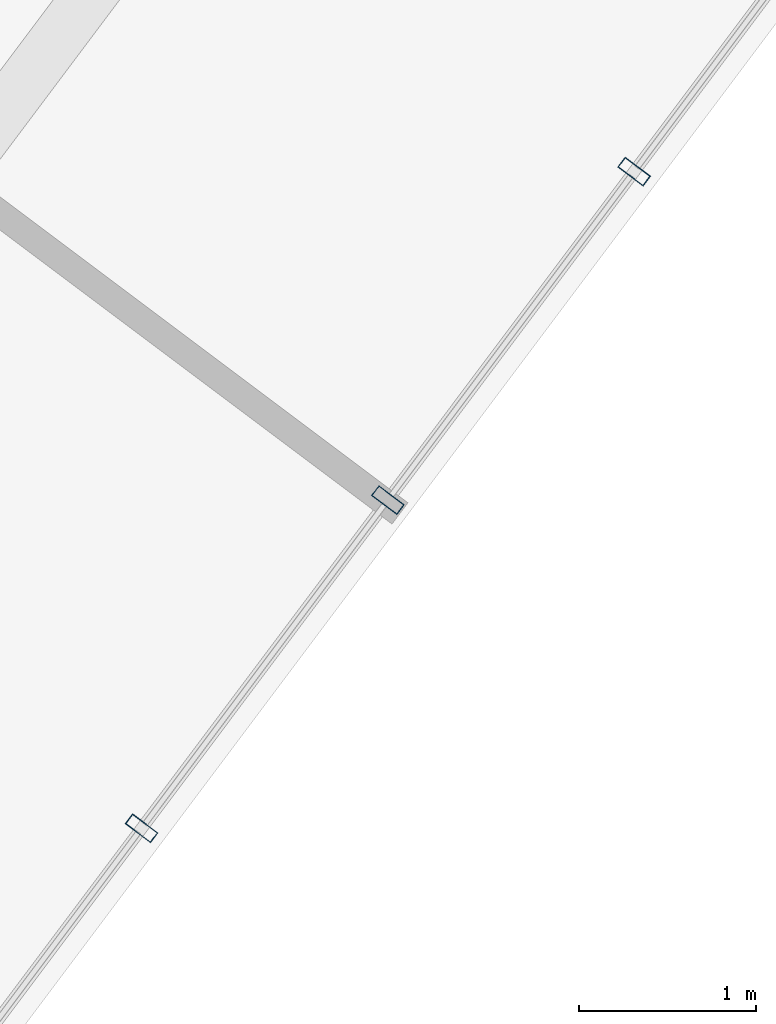
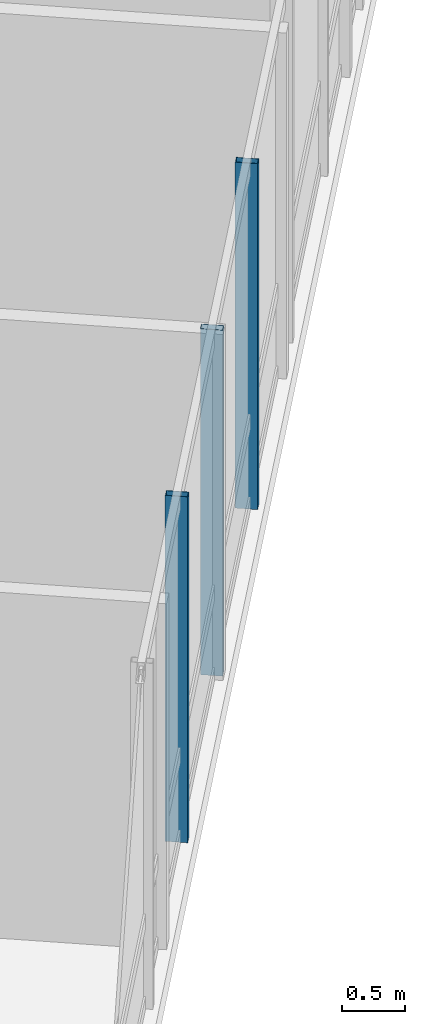
# One storey, part 11 of 25: 3 members, 1 element without a shape of its own.
"""IFC4 building model written with IfcOpenShell, lengths in metres."""

from ifc_helpers import new_model, si_unit, direction, frame, origin, origin_2d, place, context, subcontext, project, spatial, hollow_rectangle, extrude, material, layer, layer_set, material_profile, profile_set, type_object, element, aggregate, save


model = new_model("IFC4")

# Units and contexts
model_context = context("Model", 3, precision=1e-05, world=origin(), true_north=direction((0.0, 1.0)))
body_context = subcontext(model_context, "Body", "Model", "MODEL_VIEW")
ifc_project = project(units=[si_unit("LENGTHUNIT", "METRE"), si_unit("AREAUNIT", "SQUARE_METRE"), si_unit("VOLUMEUNIT", "CUBIC_METRE"), si_unit("PLANEANGLEUNIT", "RADIAN"), si_unit("MASSUNIT", "GRAM", prefix="KILO")], contexts=[model_context])

# Site, building, storey
site_placement = place(None, origin())
site = spatial("IfcSite", under=ifc_project, at=site_placement, CompositionType="ELEMENT")
building_placement = place(site_placement, origin())
building = spatial("IfcBuilding", under=site, at=building_placement, Name="Hatsunagi Terrace Concourse", CompositionType="ELEMENT")
storey_placement = place(building_placement, frame((0.0, 0.0, 223.949951171875)))
storey = spatial("IfcBuildingStorey", under=building, at=storey_placement, Name="L59", CompositionType="ELEMENT", Elevation=223.949951171875)

# Curtain wall, members
ifc_material_1 = material(Name="Anodised Aluminium Alloy 6063-T5", Category="aluminium")
ifc_layer = layer(ifc_material_1, 0.199951171875)
ifc_layer_set = layer_set([ifc_layer], Name="OfficeZone2_CW04")
curtain_wall_type = type_object("IfcCurtainWallType", Name="OfficeZone2_CW04", PredefinedType="NOTDEFINED", material=ifc_layer_set)
curtain_wall_placement = place(storey_placement, origin())
curtain_wall = element("IfcCurtainWall", 1, at=curtain_wall_placement, inside=storey, type_object=curtain_wall_type, Name="Unitised Curtain Wall CW-04 CW-L59-03", PredefinedType="NOTDEFINED")
ifc_material_2 = material(Name="Anodised Aluminium Alloy 6063-T5", Category="aluminium")
ifc_material_profile = material_profile(ifc_material_2, hollow_rectangle(XDim=0.070068359375, YDim=0.179931640625, WallThickness=0.00390625, at=origin_2d()), Name="ALU-MUL-180x70x4")
ifc_profile_set = profile_set([ifc_material_profile], Name="Anodised Aluminium Alloy 6063-T5")
member_type = type_object("IfcMemberType", Name="CurtainWallMullion_180x70", PredefinedType="MULLION", material=ifc_profile_set)
member_1_placement = place(storey_placement, frame((53.73193359375, 16.676025390625, 0.0), z_axis=(0.0, 0.0, 1.0), x_axis=(-0.599969314634, -0.800023013105, 0.0)))
member_1 = element("IfcMember", 2, at=member_1_placement, type_object=member_type, Name="Curtain Wall Mullion MUL-02", PredefinedType="MULLION", context=body_context, shape_type="SweptSolid", body=[
    extrude(hollow_rectangle(XDim=0.070068359375, YDim=0.179931640625, WallThickness=0.00390625, at=origin_2d()), origin(), (0.0, 0.0, 1.0), 3.35009765625),
])
member_2_placement = place(storey_placement, frame((52.340087890625, 14.819091796875, 0.0), z_axis=(0.0, 0.0, 1.0), x_axis=(-0.599969314634, -0.800023013105, 0.0)))
member_2 = element("IfcMember", 3, at=member_2_placement, type_object=member_type, Name="Curtain Wall Mullion MUL-02", PredefinedType="MULLION", context=body_context, shape_type="SweptSolid", body=[
    extrude(hollow_rectangle(XDim=0.070068359375, YDim=0.179931640625, WallThickness=0.00390625, at=origin_2d()), origin(), (0.0, 0.0, 1.0), 3.35009765625),
])
member_3_placement = place(storey_placement, frame((50.947021484375, 12.962890625, 0.0), z_axis=(0.0, 0.0, 1.0), x_axis=(-0.599969314634, -0.800023013105, 0.0)))
member_3 = element("IfcMember", 4, at=member_3_placement, type_object=member_type, Name="Curtain Wall Mullion MUL-02", PredefinedType="MULLION", context=body_context, shape_type="SweptSolid", body=[
    extrude(hollow_rectangle(XDim=0.070068359375, YDim=0.179931640625, WallThickness=0.00390625, at=origin_2d()), origin(), (0.0, 0.0, 1.0), 3.35009765625),
])
aggregate(curtain_wall, [member_1, member_2, member_3])

save(model, "model.ifc")
